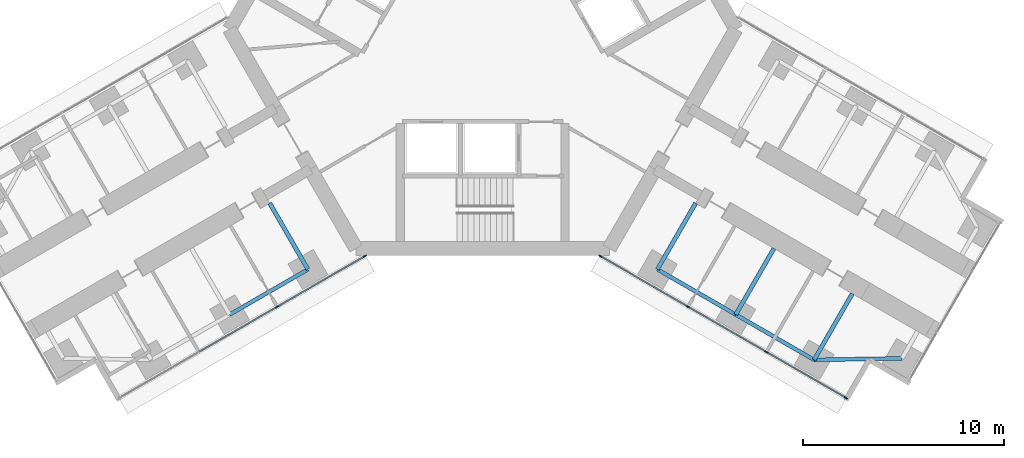
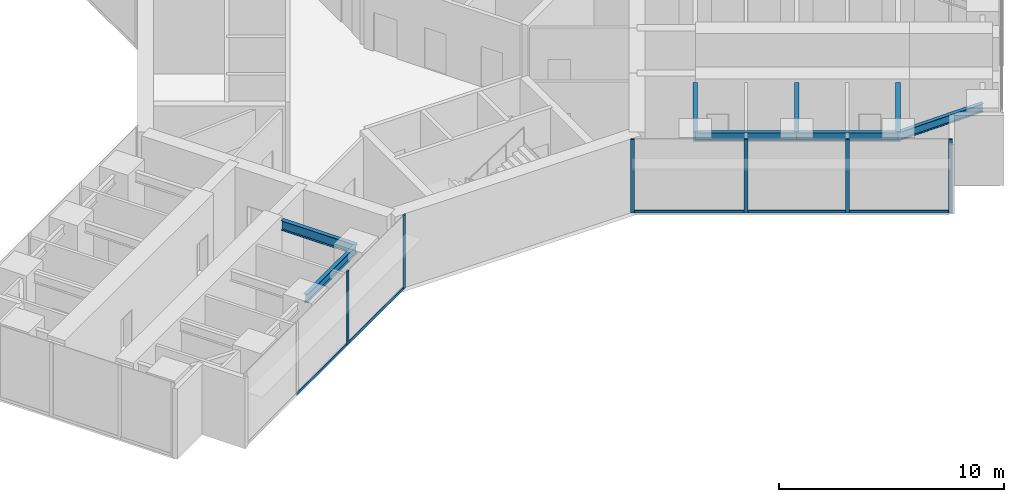
# One storey, part 9 of 24: 11 members, 8 beams, 2 elements without a shape of their own.
"""IFC4 building model written with IfcOpenShell, lengths in metres."""

from ifc_helpers import new_model, si_unit, direction, frame, origin, origin_2d, place, context, subcontext, project, spatial, rectangle, i_section, extrude, material, material_profile, profile_set, type_object, element, aggregate, save


model = new_model("IFC4")

# Units and contexts
model_context = context("Model", 3, precision=1e-05, world=origin(), true_north=direction((0.0, 1.0)))
body_context = subcontext(model_context, "Body", "Model", "MODEL_VIEW")
ifc_project = project(units=[si_unit("LENGTHUNIT", "METRE"), si_unit("AREAUNIT", "SQUARE_METRE"), si_unit("VOLUMEUNIT", "CUBIC_METRE"), si_unit("PLANEANGLEUNIT", "RADIAN"), si_unit("MASSUNIT", "GRAM", prefix="KILO")], contexts=[model_context])

# Site, building, storey
site_placement = place(None, origin())
site = spatial("IfcSite", under=ifc_project, at=site_placement, CompositionType="ELEMENT")
building_placement = place(site_placement, origin())
building = spatial("IfcBuilding", under=site, at=building_placement, Name="Upepo Twin Towers", CompositionType="ELEMENT")
storey_placement = place(building_placement, frame((0.0, 0.0, 68.5)))
storey = spatial("IfcBuildingStorey", under=building, at=storey_placement, Name="L16", CompositionType="ELEMENT", Elevation=68.5)

# Beams
ifc_material_1 = material(Name="Steel S355", Category="steel")
ifc_material_profile_1 = material_profile(ifc_material_1, i_section(OverallWidth=0.1904296875, OverallDepth=0.45703125, WebThickness=0.009033203125, FlangeThickness=0.014404296875, FilletRadius=0.01025390625, at=origin_2d()), Name="UB 457x191x74")
ifc_profile_set_1 = profile_set([ifc_material_profile_1], Name="Steel S355")
beam_type_1 = type_object("IfcBeamType", Name="Beam UB 457x191x74", PredefinedType="BEAM", material=ifc_profile_set_1)
for number, where, z_axis, x_axis, name in (
    (1, (49.80859375, -29.946044921875, 3.571533203125), (-0.866017533419, -0.500013631625, 0.0), (0.500013631625, -0.866017533419, 0.0), "T2 edge beam BL 13.5-18.0"),
    (2, (67.19140625, -29.946044921875, 3.571533203125), (0.866017533419, -0.500013631625, 0.0), (0.500013631625, 0.866017533419, 0.0), "T2 edge beam CR 13.5-18.0"),
):
    element("IfcBeam", number, at=place(storey_placement, frame(where, z_axis=z_axis, x_axis=x_axis)), inside=storey, type_object=beam_type_1, Name=name, PredefinedType="BEAM", context=body_context, shape_type="SweptSolid", body=[
        extrude(i_section(OverallWidth=0.1904296875, OverallDepth=0.45703125, WebThickness=0.009033203125, FlangeThickness=0.014404296875, FilletRadius=0.01025390625, at=origin_2d()), origin(), (0.0, 0.0, 1.0), 4.499755859375),
    ])
beam_1_placement = place(storey_placement, frame((71.08837890625, -32.196044921875, 3.571533203125), z_axis=(0.866031096941, -0.499990139034, 0.0), x_axis=(0.499990139034, 0.866031096941, 0.0)))
element("IfcBeam", 3, at=beam_1_placement, inside=storey, type_object=beam_type_1, Name="T2 edge beam CR 18.0-22.5", PredefinedType="BEAM", context=body_context, shape_type="SweptSolid", body=[
    extrude(i_section(OverallWidth=0.1904296875, OverallDepth=0.45703125, WebThickness=0.009033203125, FlangeThickness=0.014404296875, FilletRadius=0.01025390625, at=origin_2d()), origin(), (0.0, 0.0, 1.0), 4.5),
])
beam_2_placement = place(storey_placement, frame((74.985595703125, -34.446044921875, 3.571533203125), z_axis=(0.999858804832, 0.016803880528, 0.0), x_axis=(-0.016803880528, 0.999858804832, 0.0)))
element("IfcBeam", 4, at=beam_2_placement, inside=storey, type_object=beam_type_1, Name="T2 nose edge beam CR", PredefinedType="BEAM", context=body_context, shape_type="SweptSolid", body=[
    extrude(i_section(OverallWidth=0.1904296875, OverallDepth=0.45703125, WebThickness=0.009033203125, FlangeThickness=0.014404296875, FilletRadius=0.01025390625, at=origin_2d()), origin(), (0.0, 0.0, 1.0), 4.373291015625),
])
ifc_material_2 = material(Name="Steel S355", Category="steel")
ifc_material_profile_2 = material_profile(ifc_material_2, i_section(OverallWidth=0.209228515625, OverallDepth=0.533203125, WebThickness=0.010009765625, FlangeThickness=0.015625, FilletRadius=0.0126953125, at=origin_2d()), Name="UB 533x210x92")
ifc_profile_set_2 = profile_set([ifc_material_profile_2], Name="Steel S355")
beam_type_2 = type_object("IfcBeamType", Name="Beam UB 533x210x92", PredefinedType="BEAM", material=ifc_profile_set_2)
for number, where, z_axis, x_axis, name in (
    (5, (49.80859375, -29.946044921875, 3.533447265625), (-0.499994975061, 0.866028304915, 0.0), (-0.866028304915, -0.499994975061, 0.0), "T2 girder BL at 13.5"),
    (6, (67.19140625, -29.946044921875, 3.533447265625), (0.499994975061, 0.866028304915, 0.0), (-0.866028304915, 0.499994975061, 0.0), "T2 girder CR at 13.5"),
):
    element("IfcBeam", number, at=place(storey_placement, frame(where, z_axis=z_axis, x_axis=x_axis)), inside=storey, type_object=beam_type_2, Name=name, PredefinedType="BEAM", context=body_context, shape_type="SweptSolid", body=[
        extrude(i_section(OverallWidth=0.209228515625, OverallDepth=0.533203125, WebThickness=0.010009765625, FlangeThickness=0.015625, FilletRadius=0.0126953125, at=origin_2d()), origin(), (0.0, 0.0, 1.0), 3.7998046875),
    ])
beam_3_placement = place(storey_placement, frame((71.08837890625, -32.196044921875, 3.533447265625), z_axis=(0.500043160704, 0.866000483506, 0.0), x_axis=(-0.866000483506, 0.500043160704, 0.0)))
element("IfcBeam", 7, at=beam_3_placement, inside=storey, type_object=beam_type_2, Name="T2 girder CR at 18.0", PredefinedType="BEAM", context=body_context, shape_type="SweptSolid", body=[
    extrude(i_section(OverallWidth=0.209228515625, OverallDepth=0.533203125, WebThickness=0.010009765625, FlangeThickness=0.015625, FilletRadius=0.0126953125, at=origin_2d()), origin(), (0.0, 0.0, 1.0), 3.800048828125),
])
beam_4_placement = place(storey_placement, frame((74.985595703125, -34.446044921875, 3.533447265625), z_axis=(0.499994975061, 0.866028304915, 0.0), x_axis=(-0.866028304915, 0.499994975061, 0.0)))
element("IfcBeam", 8, at=beam_4_placement, inside=storey, type_object=beam_type_2, Name="T2 girder CR at 22.5", PredefinedType="BEAM", context=body_context, shape_type="SweptSolid", body=[
    extrude(i_section(OverallWidth=0.209228515625, OverallDepth=0.533203125, WebThickness=0.010009765625, FlangeThickness=0.015625, FilletRadius=0.0126953125, at=origin_2d()), origin(), (0.0, 0.0, 1.0), 3.7998046875),
])

# Curtain wall, members
ifc_material_3 = material(Name="Aluminium and fritted glass", Category="aluminium")
curtain_wall_type = type_object("IfcCurtainWallType", Name="Tower curtain wall TW1, fritted glass", PredefinedType="NOTDEFINED", material=ifc_material_3)
curtain_wall_1_placement = place(storey_placement, origin())
curtain_wall_1 = element("IfcCurtainWall", 9, at=curtain_wall_1_placement, inside=storey, type_object=curtain_wall_type, Name="T2 L16 wing B flank L curtain wall", PredefinedType="NOTDEFINED")
ifc_material_4 = material(Name="Aluminium mullion", Category="aluminium")
ifc_material_profile_3 = material_profile(ifc_material_4, rectangle(XDim=0.06494140625, YDim=0.179931640625, at=origin_2d()), Name="MULLION 65x180")
ifc_profile_set_3 = profile_set([ifc_material_profile_3], Name="Aluminium mullion")
member_type_1 = type_object("IfcMemberType", Name="Mullion 65x180 TW1", PredefinedType="MULLION", material=ifc_profile_set_3)
member_1_placement = place(storey_placement, frame((52.6416015625, -29.2919921875, 0.0), z_axis=(0.0, 0.0, 1.0), x_axis=(0.500000024426, -0.866025389682, 0.0)))
member_1 = element("IfcMember", 10, at=member_1_placement, type_object=member_type_1, Name="T2 L16 wing B flank L curtain wall mullion 1", PredefinedType="MULLION", context=body_context, shape_type="SweptSolid", body=[
    extrude(rectangle(XDim=0.06494140625, YDim=0.179931640625, at=origin_2d()), origin(), (0.0, 0.0, 1.0), 4.0),
])
member_2_placement = place(storey_placement, frame((48.28515625, -31.807373046875, 0.0), z_axis=(0.0, 0.0, 1.0), x_axis=(0.500000024426, -0.866025389682, 0.0)))
member_2 = element("IfcMember", 11, at=member_2_placement, type_object=member_type_1, Name="T2 L16 wing B flank L curtain wall mullion 2", PredefinedType="MULLION", context=body_context, shape_type="SweptSolid", body=[
    extrude(rectangle(XDim=0.06494140625, YDim=0.179931640625, at=origin_2d()), origin(), (0.0, 0.0, 1.0), 4.0),
])

curtain_wall_2_placement = place(storey_placement, origin())
curtain_wall_2 = element("IfcCurtainWall", 12, at=curtain_wall_2_placement, inside=storey, type_object=curtain_wall_type, Name="T2 L16 wing C flank R curtain wall", PredefinedType="NOTDEFINED")
member_3_placement = place(storey_placement, frame((76.567626953125, -36.341064453125, 0.0), z_axis=(0.0, 0.0, 1.0), x_axis=(-0.500000024426, -0.866025389682, 0.0)))
member_3 = element("IfcMember", 13, at=member_3_placement, type_object=member_type_1, Name="T2 L16 wing C flank R curtain wall mullion 1", PredefinedType="MULLION", context=body_context, shape_type="SweptSolid", body=[
    extrude(rectangle(XDim=0.06494140625, YDim=0.179931640625, at=origin_2d()), origin(), (0.0, 0.0, 1.0), 4.0),
])
member_4_placement = place(storey_placement, frame((72.612060546875, -34.057373046875, 0.0), z_axis=(0.0, 0.0, 1.0), x_axis=(-0.500000024426, -0.866025389682, 0.0)))
member_4 = element("IfcMember", 14, at=member_4_placement, type_object=member_type_1, Name="T2 L16 wing C flank R curtain wall mullion 2", PredefinedType="MULLION", context=body_context, shape_type="SweptSolid", body=[
    extrude(rectangle(XDim=0.06494140625, YDim=0.179931640625, at=origin_2d()), origin(), (0.0, 0.0, 1.0), 4.0),
])
member_5_placement = place(storey_placement, frame((68.71484375, -31.807373046875, 0.0), z_axis=(0.0, 0.0, 1.0), x_axis=(-0.500000024426, -0.866025389682, 0.0)))
member_5 = element("IfcMember", 15, at=member_5_placement, type_object=member_type_1, Name="T2 L16 wing C flank R curtain wall mullion 3", PredefinedType="MULLION", context=body_context, shape_type="SweptSolid", body=[
    extrude(rectangle(XDim=0.06494140625, YDim=0.179931640625, at=origin_2d()), origin(), (0.0, 0.0, 1.0), 4.0),
])
member_6_placement = place(storey_placement, frame((64.3583984375, -29.2919921875, 0.0), z_axis=(0.0, 0.0, 1.0), x_axis=(-0.500000024426, -0.866025389682, 0.0)))
member_6 = element("IfcMember", 16, at=member_6_placement, type_object=member_type_1, Name="T2 L16 wing C flank R curtain wall mullion 4", PredefinedType="MULLION", context=body_context, shape_type="SweptSolid", body=[
    extrude(rectangle(XDim=0.06494140625, YDim=0.179931640625, at=origin_2d()), origin(), (0.0, 0.0, 1.0), 4.0),
])

# Member
ifc_material_5 = material(Name="Aluminium transom", Category="aluminium")
ifc_material_profile_4 = material_profile(ifc_material_5, rectangle(XDim=0.06494140625, YDim=0.14990234375, at=origin_2d()), Name="TRANSOM 65x150")
ifc_profile_set_4 = profile_set([ifc_material_profile_4], Name="Aluminium transom")
member_type_2 = type_object("IfcMemberType", Name="Transom 65x150 TW1", PredefinedType="USERDEFINED", material=ifc_profile_set_4)
member_7_placement = place(storey_placement, frame((52.61328125, -29.308349609375, 0.074951171875), z_axis=(-0.866022642139, -0.50000478328, 0.0), x_axis=(0.50000478328, -0.866022642139, 0.0)))
member_7 = element("IfcMember", 17, at=member_7_placement, type_object=member_type_2, Name="T2 L16 wing B flank L curtain wall transom 1", ObjectType="TRANSOM", PredefinedType="USERDEFINED", context=body_context, shape_type="SweptSolid", body=[
    extrude(rectangle(XDim=0.06494140625, YDim=0.14990234375, at=origin_2d()), origin(), (0.0, 0.0, 1.0), 4.96533203125),
])

member_8_placement = place(storey_placement, frame((48.2568359375, -31.823486328125, 0.074951171875), z_axis=(-0.866022410713, -0.500005184116, 0.0), x_axis=(0.500005184116, -0.866022410713, 0.0)))
member_8 = element("IfcMember", 18, at=member_8_placement, type_object=member_type_2, Name="T2 L16 wing B flank L curtain wall transom 2", ObjectType="TRANSOM", PredefinedType="USERDEFINED", context=body_context, shape_type="SweptSolid", body=[
    extrude(rectangle(XDim=0.06494140625, YDim=0.14990234375, at=origin_2d()), origin(), (0.0, 0.0, 1.0), 4.43505859375),
])

aggregate(curtain_wall_1, [member_1, member_2, member_7, member_8])

member_9_placement = place(storey_placement, frame((76.53955078125, -36.32470703125, 0.074951171875), z_axis=(-0.866035699072, 0.499982167615, 0.0), x_axis=(-0.499982167615, -0.866035699072, 0.0)))
member_9 = element("IfcMember", 19, at=member_9_placement, type_object=member_type_2, Name="T2 L16 wing C flank R curtain wall transom 1", ObjectType="TRANSOM", PredefinedType="USERDEFINED", context=body_context, shape_type="SweptSolid", body=[
    extrude(rectangle(XDim=0.06494140625, YDim=0.14990234375, at=origin_2d()), origin(), (0.0, 0.0, 1.0), 4.502685546875),
])

member_10_placement = place(storey_placement, frame((72.583984375, -34.041015625, 0.074951171875), z_axis=(-0.866022410713, 0.500005184116, 0.0), x_axis=(-0.500005184116, -0.866022410713, 0.0)))
member_10 = element("IfcMember", 20, at=member_10_placement, type_object=member_type_2, Name="T2 L16 wing C flank R curtain wall transom 2", ObjectType="TRANSOM", PredefinedType="USERDEFINED", context=body_context, shape_type="SweptSolid", body=[
    extrude(rectangle(XDim=0.06494140625, YDim=0.14990234375, at=origin_2d()), origin(), (0.0, 0.0, 1.0), 4.43505859375),
])

member_11_placement = place(storey_placement, frame((68.686767578125, -31.791015625, 0.074951171875), z_axis=(-0.866022642139, 0.50000478328, 0.0), x_axis=(-0.50000478328, -0.866022642139, 0.0)))
member_11 = element("IfcMember", 21, at=member_11_placement, type_object=member_type_2, Name="T2 L16 wing C flank R curtain wall transom 3", ObjectType="TRANSOM", PredefinedType="USERDEFINED", context=body_context, shape_type="SweptSolid", body=[
    extrude(rectangle(XDim=0.06494140625, YDim=0.14990234375, at=origin_2d()), origin(), (0.0, 0.0, 1.0), 4.96533203125),
])

aggregate(curtain_wall_2, [member_3, member_4, member_5, member_6, member_9, member_10, member_11])

save(model, "model.ifc")
